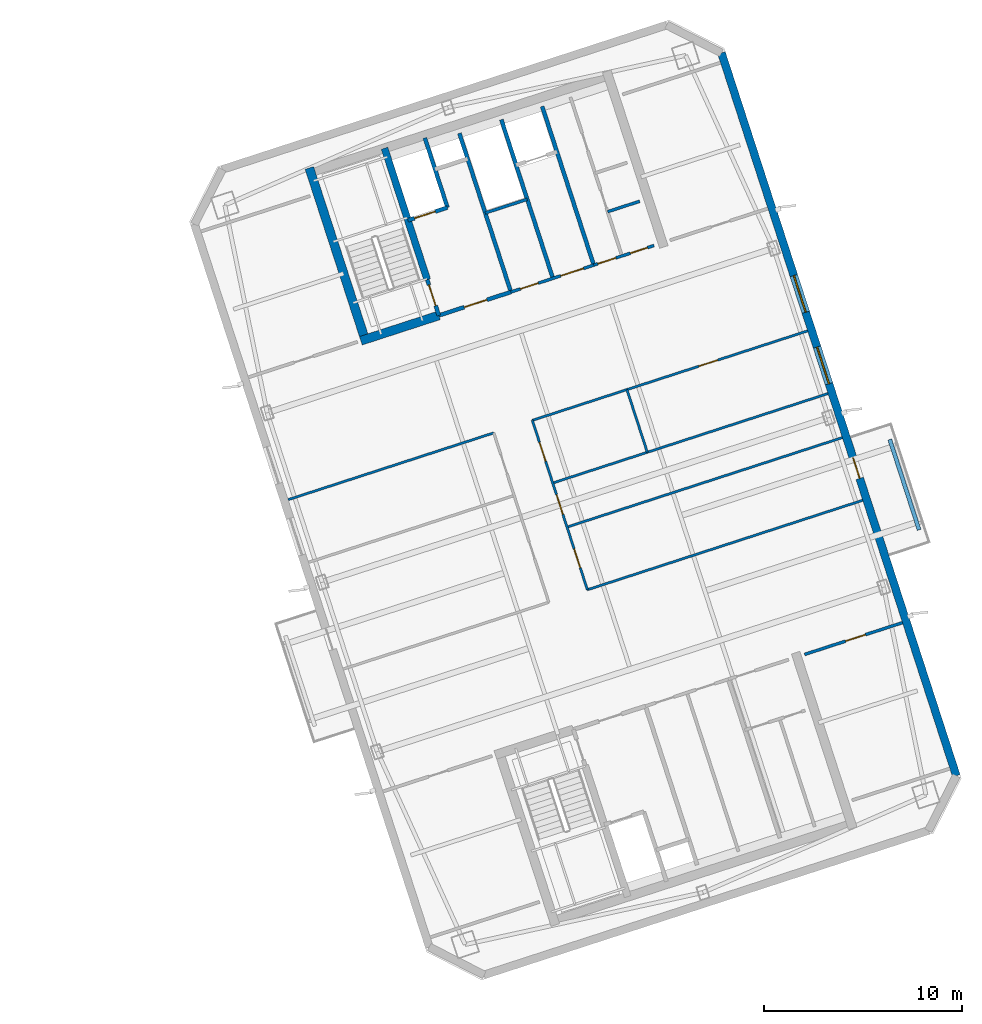
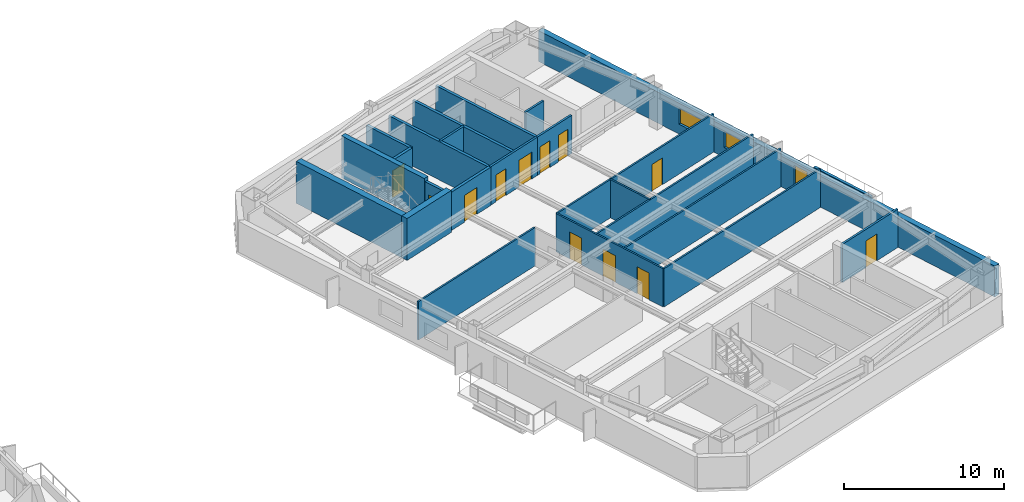
# One storey, part 10 of 18: 24 walls, 13 doors, 2 windows, 15 openings.
"""IFC4 building model written with IfcOpenShell, lengths in metres."""

from ifc_helpers import new_model, si_unit, direction, frame, frame_2d, origin, place, context, subcontext, project, spatial, rectangle, extrude, material, layer, layer_set, type_object, element, fill, save


model = new_model("IFC4")

# Units and contexts
model_context = context("Model", 3, precision=1e-05, world=origin(), true_north=direction((0.0, 1.0)))
body_context = subcontext(model_context, "Body", "Model", "MODEL_VIEW")
ifc_project = project(units=[si_unit("LENGTHUNIT", "METRE"), si_unit("AREAUNIT", "SQUARE_METRE"), si_unit("VOLUMEUNIT", "CUBIC_METRE"), si_unit("PLANEANGLEUNIT", "RADIAN"), si_unit("MASSUNIT", "GRAM", prefix="KILO")], contexts=[model_context])

# Site, building, storey
site_placement = place(None, origin())
site = spatial("IfcSite", under=ifc_project, at=site_placement, CompositionType="ELEMENT")
building_placement = place(site_placement, origin())
building = spatial("IfcBuilding", under=site, at=building_placement, Name="Qiaolan Cultural Towers", CompositionType="ELEMENT")
storey_placement = place(building_placement, frame((0.0, 0.0, 237.60009765625)))
storey = spatial("IfcBuildingStorey", under=building, at=storey_placement, Name="L64", CompositionType="ELEMENT", Elevation=237.60009765625)

# Walls
ifc_material_1 = material(Name="Concrete C50", Category="concrete")
ifc_layer_1 = layer(ifc_material_1, 0.35009765625)
ifc_layer_set_1 = layer_set([ifc_layer_1], Name="Concrete C50")
wall_type_1 = type_object("IfcWallType", Name="WL-CORE-350", PredefinedType="SHEAR", material=ifc_layer_set_1)
wall_1_placement = place(storey_placement, frame((82.513671875, 45.13134765625, 0.0), z_axis=(0.0, 0.0, 1.0), x_axis=(-0.308988790936, 0.951065679686, 0.0)))
element("IfcWall", 1, at=wall_1_placement, inside=storey, type_object=wall_type_1, Name="L64 T2-CN Stair Core Dividing Web", PredefinedType="SHEAR", context=body_context, shape_type="SweptSolid", body=[
    extrude(rectangle(XDim=6.97998046875, YDim=0.35009765625, at=frame_2d((3.489990234375, 0.0))), origin(), (0.0, 0.0, 1.0), 3.199951171875),
])
ifc_material_2 = material(Name="Concrete C50", Category="concrete")
ifc_layer_2 = layer(ifc_material_2, 0.449951171875)
ifc_layer_set_2 = layer_set([ifc_layer_2], Name="Concrete C50")
wall_type_2 = type_object("IfcWallType", Name="WL-CORE-450", PredefinedType="SHEAR", material=ifc_layer_set_2)
wall_2_placement = place(storey_placement, frame((79.4423828125, 41.899169921875, 0.0), z_axis=(0.0, 0.0, 1.0), x_axis=(-0.309035778627, 0.951050412717, 0.0)))
element("IfcWall", 2, at=wall_2_placement, inside=storey, type_object=wall_type_2, Name="L64 T2-CN West Core Shear Wall", PredefinedType="SHEAR", context=body_context, shape_type="SweptSolid", body=[
    extrude(rectangle(XDim=9.330078125, YDim=0.449951171875, at=frame_2d((4.6650390625, 0.0))), origin(), (0.0, 0.0, 1.0), 3.199951171875),
])
wall_3_placement = place(storey_placement, frame((79.15869140625, 42.04345703125, 0.0), z_axis=(0.0, 0.0, 1.0), x_axis=(0.951047485828, 0.309044785913, 0.0)))
element("IfcWall", 3, at=wall_3_placement, inside=storey, type_object=wall_type_2, Name="L64 T2-CN Stair Front Shear Wall", PredefinedType="SHEAR", context=body_context, shape_type="SweptSolid", body=[
    extrude(rectangle(XDim=4.14501953125, YDim=0.449951171875, at=frame_2d((2.072509765625, 0.0))), origin(), (0.0, 0.0, 1.0), 3.199951171875),
])

# Wall, openings, door, windows
ifc_material_3 = material(Name="Precast Concrete C50 Honed Stone Pier", Category="masonry")
ifc_layer_3 = layer(ifc_material_3, 0.39990234375)
ifc_layer_set_3 = layer_set([ifc_layer_3], Name="Precast Concrete C50 Honed Stone Pier")
wall_type_3 = type_object("IfcWallType", Name="WL-EXT-PIER-400", PredefinedType="SOLIDWALL", material=ifc_layer_set_3)
wall_4_placement = place(storey_placement, frame((97.381591796875, 56.58642578125, 0.0), z_axis=(0.0, 0.0, 1.0), x_axis=(0.309016491071, -0.951056679828, 0.0)))
wall_4 = element("IfcWall", 4, at=wall_4_placement, inside=storey, type_object=wall_type_3, Name="L64 East Tower Precast Pier Facade Wall F5", PredefinedType="SOLIDWALL", context=body_context, shape_type="SweptSolid", body=[
    extrude(rectangle(XDim=38.39990234375, YDim=0.39990234375, at=frame_2d((19.199951171875, 0.0))), origin(), (0.0, 0.0, 1.0), 2.35986328125),
])
opening_1_placement = place(wall_4_placement, frame((15.625, 0.0, 0.75)))
opening_1 = element("IfcOpeningElement", 5, at=opening_1_placement, cuts=wall_4, Name="Opening W-06", PredefinedType="OPENING", context=body_context, shape_type="SweptSolid", body=[
    extrude(rectangle(XDim=1.949951171875, YDim=1.2099609375, at=frame_2d((0.97509765625, 0.60498046875))), frame((0.0, 0.2099609375, 0.0), z_axis=(0.0, -1.0, 0.0), x_axis=(1.0, 0.0, 0.0)), (0.0, 0.0, 1.0), 0.419921875),
])
opening_2_placement = place(wall_4_placement, frame((11.824951171875, 0.0, 0.75)))
opening_2 = element("IfcOpeningElement", 6, at=opening_2_placement, cuts=wall_4, Name="Opening W-06", PredefinedType="OPENING", context=body_context, shape_type="SweptSolid", body=[
    extrude(rectangle(XDim=1.949951171875, YDim=1.2099609375, at=frame_2d((0.97509765625, 0.60498046875))), frame((0.0, 0.2099609375, 0.0), z_axis=(0.0, -1.0, 0.0), x_axis=(1.0, 0.0, 0.0)), (0.0, 0.0, 1.0), 0.419921875),
])
opening_3_placement = place(wall_4_placement, frame((21.5, 0.0, 0.0)))
opening_3 = element("IfcOpeningElement", 7, at=opening_3_placement, cuts=wall_4, Name="Opening BD-01", PredefinedType="OPENING", context=body_context, shape_type="SweptSolid", body=[
    extrude(rectangle(XDim=1.10009765625, YDim=2.14990234375, at=frame_2d((0.550048828125, 1.074951171875))), frame((0.0, 0.2099609375, 0.0), z_axis=(0.0, -1.0, 0.0), x_axis=(1.0, 0.0, 0.0)), (0.0, 0.0, 1.0), 0.419921875),
])
ifc_material_4 = material(Name="Thermally Broken Aluminium Glazed Terrace Door", Category="aluminium")
door_type_1 = type_object("IfcDoorType", Name="DR-BAL-1100", OperationType="NOTDEFINED", PredefinedType="DOOR", material=ifc_material_4)
door_1_placement = place(opening_3_placement, origin())
door_1 = element("IfcDoor", 8, at=door_1_placement, inside=storey, type_object=door_type_1, Name="L64 T2 East Tree Balcony Door", OperationType="SINGLE_SWING_RIGHT", OverallHeight=2.14990234375, OverallWidth=1.10009765625, PredefinedType="DOOR", context=body_context, shape_type="SweptSolid", body=[
    extrude(rectangle(XDim=1.10009765625, YDim=2.14990234375, at=frame_2d((0.550048828125, 1.074951171875))), frame((0.0, 0.02490234375, 0.0), z_axis=(0.0, -1.0, 0.0), x_axis=(1.0, 0.0, 0.0)), (0.0, 0.0, 1.0), 0.050048828125),
])
fill(opening_3, door_1)
ifc_material_5 = material(Name="Thermally Broken Aluminium Triple Low-E Glazing", Category="aluminium")
window_type = type_object("IfcWindowType", Name="WN-CHIC-1950", PartitioningType="SINGLE_PANEL", PredefinedType="WINDOW", material=ifc_material_5)
window_1_placement = place(opening_1_placement, origin())
window_1 = element("IfcWindow", 9, at=window_1_placement, inside=storey, type_object=window_type, Name="L64 T2 E Chicago Bay Window 1", OverallHeight=1.2099609375, OverallWidth=1.949951171875, PartitioningType="TRIPLE_PANEL_VERTICAL", PredefinedType="WINDOW", context=body_context, shape_type="SweptSolid", body=[
    extrude(rectangle(XDim=1.949951171875, YDim=1.2099609375, at=frame_2d((0.97509765625, 0.60498046875))), frame((0.0, 0.030029296875, 0.0), z_axis=(0.0, -1.0, 0.0), x_axis=(1.0, 0.0, 0.0)), (0.0, 0.0, 1.0), 0.06005859375),
])
fill(opening_1, window_1)
window_2_placement = place(opening_2_placement, origin())
window_2 = element("IfcWindow", 10, at=window_2_placement, inside=storey, type_object=window_type, Name="L64 T2 E Chicago Bay Window 2", OverallHeight=1.2099609375, OverallWidth=1.949951171875, PartitioningType="TRIPLE_PANEL_VERTICAL", PredefinedType="WINDOW", context=body_context, shape_type="SweptSolid", body=[
    extrude(rectangle(XDim=1.949951171875, YDim=1.2099609375, at=frame_2d((0.97509765625, 0.60498046875))), frame((0.0, 0.030029296875, 0.0), z_axis=(0.0, -1.0, 0.0), x_axis=(1.0, 0.0, 0.0)), (0.0, 0.0, 1.0), 0.06005859375),
])
fill(opening_2, window_2)

# Wall, opening, door
ifc_material_6 = material(Name="Concrete C35 Fire Wall", Category="concrete")
ifc_layer_4 = layer(ifc_material_6, 0.199951171875)
ifc_layer_set_4 = layer_set([ifc_layer_4], Name="Concrete C35 Fire Wall")
wall_type_4 = type_object("IfcWallType", Name="WL-FIRE-200", PredefinedType="PARTITIONING", material=ifc_layer_set_4)
wall_5_placement = place(storey_placement, frame((83.100830078125, 43.324462890625, 0.0), z_axis=(0.0, 0.0, 1.0), x_axis=(-0.309048298632, 0.951046344356, 0.0)))
wall_5 = element("IfcWall", 11, at=wall_5_placement, inside=storey, type_object=wall_type_4, Name="L64 T2-CN Smokeproof Stair Entry Wall", PredefinedType="PARTITIONING", context=body_context, shape_type="SweptSolid", body=[
    extrude(rectangle(XDim=1.89990234375, YDim=0.199951171875, at=frame_2d((0.949951171875, 0.0))), origin(), (0.0, 0.0, 1.0), 2.9248046875),
])
opening_4_placement = place(wall_5_placement, frame((0.52001953125, 0.0, 0.0)))
opening_4 = element("IfcOpeningElement", 12, at=opening_4_placement, cuts=wall_5, Name="Opening FD-04", PredefinedType="OPENING", context=body_context, shape_type="SweptSolid", body=[
    extrude(rectangle(XDim=1.10009765625, YDim=2.050048828125, at=frame_2d((0.550048828125, 1.02490234375))), frame((0.0, 0.10986328125, 0.0), z_axis=(0.0, -1.0, 0.0), x_axis=(1.0, 0.0, 0.0)), (0.0, 0.0, 1.0), 0.219970703125),
])
ifc_material_7 = material(Name="Galvanized Steel Command Fire Door", Category="steel")
door_type_2 = type_object("IfcDoorType", Name="DR-FD90-1100", OperationType="NOTDEFINED", PredefinedType="DOOR", material=ifc_material_7)
door_2_placement = place(opening_4_placement, origin())
door_2 = element("IfcDoor", 13, at=door_2_placement, inside=storey, type_object=door_type_2, Name="L64 ST-E2 Smokeproof Stair Fire Door", OperationType="SINGLE_SWING_LEFT", OverallHeight=2.050048828125, OverallWidth=1.10009765625, PredefinedType="DOOR", context=body_context, shape_type="SweptSolid", body=[
    extrude(rectangle(XDim=1.10009765625, YDim=2.050048828125, at=frame_2d((0.550048828125, 1.02490234375))), frame((0.0, 0.02490234375, 0.0), z_axis=(0.0, -1.0, 0.0), x_axis=(1.0, 0.0, 0.0)), (0.0, 0.0, 1.0), 0.050048828125),
])
fill(opening_4, door_2)

# Wall
wall_6_placement = place(storey_placement, frame((86.743408203125, 44.508056640625, 0.0), z_axis=(0.0, 0.0, 1.0), x_axis=(-0.309016001439, 0.951056838919, 0.0)))
element("IfcWall", 14, at=wall_6_placement, inside=storey, type_object=wall_type_4, Name="L64 T2-CN Firefighting Zone Wall", PredefinedType="PARTITIONING", context=body_context, shape_type="SweptSolid", body=[
    extrude(rectangle(XDim=8.429931640625, YDim=0.199951171875, at=frame_2d((4.21484375, 0.0))), origin(), (0.0, 0.0, 1.0), 2.9248046875),
])

# Wall, opening, door
wall_7_placement = place(storey_placement, frame((83.100830078125, 43.324462890625, 0.0), z_axis=(0.0, 0.0, 1.0), x_axis=(0.951052804469, 0.309028417967, 0.0)))
wall_7 = element("IfcWall", 15, at=wall_7_placement, inside=storey, type_object=wall_type_4, Name="L64 T2-CN Firefighting Lobby Front Wall", PredefinedType="PARTITIONING", context=body_context, shape_type="SweptSolid", body=[
    extrude(rectangle(XDim=3.830078125, YDim=0.199951171875, at=frame_2d((1.9150390625, 0.0))), origin(), (0.0, 0.0, 1.0), 2.9248046875),
])
opening_5_placement = place(wall_7_placement, frame((1.35009765625, 0.0, 0.0)))
opening_5 = element("IfcOpeningElement", 16, at=opening_5_placement, cuts=wall_7, Name="Opening FD-03", PredefinedType="OPENING", context=body_context, shape_type="SweptSolid", body=[
    extrude(rectangle(XDim=1.199951171875, YDim=2.050048828125, at=frame_2d((0.60009765625, 1.02490234375))), frame((0.0, 0.10986328125, 0.0), z_axis=(0.0, -1.0, 0.0), x_axis=(1.0, 0.0, 0.0)), (0.0, 0.0, 1.0), 0.219970703125),
])
ifc_material_8 = material(Name="Galvanized Steel Smokeproof Lobby Fire Door", Category="steel")
door_type_3 = type_object("IfcDoorType", Name="DR-FD90-1200", OperationType="NOTDEFINED", PredefinedType="DOOR", material=ifc_material_8)
door_3_placement = place(opening_5_placement, origin())
door_3 = element("IfcDoor", 17, at=door_3_placement, inside=storey, type_object=door_type_3, Name="L64 FFL-E2 Firefighting Lobby Fire Door", OperationType="SINGLE_SWING_LEFT", OverallHeight=2.050048828125, OverallWidth=1.199951171875, PredefinedType="DOOR", context=body_context, shape_type="SweptSolid", body=[
    extrude(rectangle(XDim=1.199951171875, YDim=2.050048828125, at=frame_2d((0.60009765625, 1.02490234375))), frame((0.0, 0.02490234375, 0.0), z_axis=(0.0, -1.0, 0.0), x_axis=(1.0, 0.0, 0.0)), (0.0, 0.0, 1.0), 0.050048828125),
])
fill(opening_5, door_3)

wall_8_placement = place(storey_placement, frame((81.540283203125, 48.127197265625, 0.0), z_axis=(0.0, 0.0, 1.0), x_axis=(0.951062257173, 0.308999325213, 0.0)))
wall_8 = element("IfcWall", 18, at=wall_8_placement, inside=storey, type_object=wall_type_4, Name="L64 T2-CN Firefighting Shaft Front Wall", PredefinedType="PARTITIONING", context=body_context, shape_type="SweptSolid", body=[
    extrude(rectangle(XDim=2.10009765625, YDim=0.199951171875, at=frame_2d((1.050048828125, 0.0))), origin(), (0.0, 0.0, 1.0), 2.9248046875),
])
opening_6_placement = place(wall_8_placement, frame((0.35009765625, 0.0, 0.0)))
opening_6 = element("IfcOpeningElement", 19, at=opening_6_placement, cuts=wall_8, Name="Opening LD-01", PredefinedType="OPENING", context=body_context, shape_type="SweptSolid", body=[
    extrude(rectangle(XDim=1.10009765625, YDim=2.050048828125, at=frame_2d((0.550048828125, 1.02490234375))), frame((0.0, 0.10986328125, 0.0), z_axis=(0.0, -1.0, 0.0), x_axis=(1.0, 0.0, 0.0)), (0.0, 0.0, 1.0), 0.219970703125),
])
ifc_material_9 = material(Name="Brushed Stainless Steel S30408 Centre-Parting Lift Landing Door", Category="steel")
door_type_4 = type_object("IfcDoorType", Name="DR-LIFT-1100", OperationType="NOTDEFINED", PredefinedType="DOOR", material=ifc_material_9)
door_4_placement = place(opening_6_placement, origin())
door_4 = element("IfcDoor", 20, at=door_4_placement, inside=storey, type_object=door_type_4, Name="L64 FFL-E2 Firefighting Lift Landing Door", OperationType="DOUBLE_DOOR_SLIDING", OverallHeight=2.050048828125, OverallWidth=1.10009765625, PredefinedType="DOOR", context=body_context, shape_type="SweptSolid", body=[
    extrude(rectangle(XDim=1.10009765625, YDim=2.050048828125, at=frame_2d((0.550048828125, 1.02490234375))), frame((0.0, 0.02490234375, 0.0), z_axis=(0.0, -1.0, 0.0), x_axis=(1.0, 0.0, 0.0)), (0.0, 0.0, 1.0), 0.050048828125),
])
fill(opening_6, door_4)

# Walls
wall_9_placement = place(storey_placement, frame((83.53759765625, 48.776123046875, 0.0), z_axis=(0.0, 0.0, 1.0), x_axis=(-0.3089935693, 0.951064127245, 0.0)))
element("IfcWall", 21, at=wall_9_placement, inside=storey, type_object=wall_type_4, Name="L64 T2-CN Firefighting Hoistway East Wall", PredefinedType="PARTITIONING", context=body_context, shape_type="SweptSolid", body=[
    extrude(rectangle(XDim=3.7001953125, YDim=0.199951171875, at=frame_2d((1.85009765625, 0.0))), origin(), (0.0, 0.0, 1.0), 2.9248046875),
])
wall_10_placement = place(storey_placement, frame((90.92822265625, 45.86767578125, 0.0), z_axis=(0.0, 0.0, 1.0), x_axis=(-0.309042196757, 0.951048327176, 0.0)))
element("IfcWall", 22, at=wall_10_placement, inside=storey, type_object=wall_type_4, Name="L64 T2-CN Lift Core East Wall", PredefinedType="PARTITIONING", context=body_context, shape_type="SweptSolid", body=[
    extrude(rectangle(XDim=8.429931640625, YDim=0.199951171875, at=frame_2d((4.21484375, 0.0))), origin(), (0.0, 0.0, 1.0), 2.9248046875),
])
wall_11_placement = place(storey_placement, frame((88.8642578125, 45.197021484375, 0.0), z_axis=(0.0, 0.0, 1.0), x_axis=(-0.309007490203, 0.951059604335, 0.0)))
element("IfcWall", 23, at=wall_11_placement, inside=storey, type_object=wall_type_4, Name="L64 T2-CN Sky Shuttle Lift Zone Wall", PredefinedType="PARTITIONING", context=body_context, shape_type="SweptSolid", body=[
    extrude(rectangle(XDim=8.43017578125, YDim=0.199951171875, at=frame_2d((4.215087890625, 0.0))), origin(), (0.0, 0.0, 1.0), 2.9248046875),
])
ifc_material_10 = material(Name="Gypsum Stud Acoustic Partition", Category="gypsum")
ifc_layer_5 = layer(ifc_material_10, 0.1201171875)
ifc_layer_set_5 = layer_set([ifc_layer_5], Name="Gypsum Stud Acoustic Partition")
wall_type_5 = type_object("IfcWallType", Name="WL-PART-120", PredefinedType="PARTITIONING", material=ifc_layer_set_5)
wall_12_placement = place(storey_placement, frame((90.60595703125, 29.46533203125, 0.0), z_axis=(0.0, 0.0, 1.0), x_axis=(0.951058110432, 0.309012088082, 0.0)))
element("IfcWall", 24, at=wall_12_placement, inside=storey, type_object=wall_type_5, Name="L64 T2 South Foyer East Wall", PredefinedType="PARTITIONING", context=body_context, shape_type="SweptSolid", body=[
    extrude(rectangle(XDim=14.625, YDim=0.1201171875, at=frame_2d((7.3125, 0.0))), origin(), (0.0, 0.0, 1.0), 2.9248046875),
])
wall_13_placement = place(storey_placement, frame((75.48486328125, 34.015380859375, 0.0), z_axis=(0.0, 0.0, 1.0), x_axis=(0.951058206457, 0.309011792544, 0.0)))
element("IfcWall", 25, at=wall_13_placement, inside=storey, type_object=wall_type_5, Name="L64 T2 North Foyer West Wall", PredefinedType="PARTITIONING", context=body_context, shape_type="SweptSolid", body=[
    extrude(rectangle(XDim=10.925048828125, YDim=0.1201171875, at=frame_2d((5.46240234375, 0.0))), origin(), (0.0, 0.0, 1.0), 2.9248046875),
])

# Wall, opening, door
wall_14_placement = place(storey_placement, frame((87.82470703125, 38.02490234375, 0.0), z_axis=(0.0, 0.0, 1.0), x_axis=(0.951058110432, 0.309012088082, 0.0)))
wall_14 = element("IfcWall", 26, at=wall_14_placement, inside=storey, type_object=wall_type_5, Name="L64 T2 North Foyer East Wall", PredefinedType="PARTITIONING", context=body_context, shape_type="SweptSolid", body=[
    extrude(rectangle(XDim=14.625, YDim=0.1201171875, at=frame_2d((7.3125, 0.0))), origin(), (0.0, 0.0, 1.0), 2.9248046875),
])
opening_7_placement = place(wall_14_placement, frame((8.844970703125, 0.0, 0.0)))
opening_7 = element("IfcOpeningElement", 27, at=opening_7_placement, cuts=wall_14, Name="Opening ID-04", PredefinedType="OPENING", context=body_context, shape_type="SweptSolid", body=[
    extrude(rectangle(XDim=1.0, YDim=2.050048828125, at=frame_2d((0.5, 1.02490234375))), frame((0.0, 0.070068359375, 0.0), z_axis=(0.0, -1.0, 0.0), x_axis=(1.0, 0.0, 0.0)), (0.0, 0.0, 1.0), 0.14013671875),
])
ifc_material_11 = material(Name="Oak Veneer Acoustic Office Door", Category="timber")
door_type_5 = type_object("IfcDoorType", Name="DR-INT-1000", OperationType="NOTDEFINED", PredefinedType="DOOR", material=ifc_material_11)
door_5_placement = place(opening_7_placement, origin())
door_5 = element("IfcDoor", 28, at=door_5_placement, inside=storey, type_object=door_type_5, Name="L64 T2 Gallery Salon Door", OperationType="SINGLE_SWING_RIGHT", OverallHeight=2.050048828125, OverallWidth=1.0, PredefinedType="DOOR", context=body_context, shape_type="SweptSolid", body=[
    extrude(rectangle(XDim=1.0, YDim=2.050048828125, at=frame_2d((0.5, 1.02490234375))), frame((0.0, 0.02490234375, 0.0), z_axis=(0.0, -1.0, 0.0), x_axis=(1.0, 0.0, 0.0)), (0.0, 0.0, 1.0), 0.050048828125),
])
fill(opening_7, door_5)

# Wall, openings, doors
wall_15_placement = place(storey_placement, frame((90.60595703125, 29.46533203125, 0.0), z_axis=(0.0, 0.0, 1.0), x_axis=(-0.309024734286, 0.951054001411, 0.0)))
wall_15 = element("IfcWall", 29, at=wall_15_placement, inside=storey, type_object=wall_type_5, Name="L64 T2 Central Spine East Wall", PredefinedType="PARTITIONING", context=body_context, shape_type="SweptSolid", body=[
    extrude(rectangle(XDim=9.0, YDim=0.1201171875, at=frame_2d((4.5, 0.0))), origin(), (0.0, 0.0, 1.0), 2.9248046875),
])
opening_8_placement = place(wall_15_placement, frame((1.1650390625, 0.0, 0.0)))
opening_8 = element("IfcOpeningElement", 30, at=opening_8_placement, cuts=wall_15, Name="Opening ID-04", PredefinedType="OPENING", context=body_context, shape_type="SweptSolid", body=[
    extrude(rectangle(XDim=1.0, YDim=2.050048828125, at=frame_2d((0.5, 1.02490234375))), frame((0.0, 0.070068359375, 0.0), z_axis=(0.0, -1.0, 0.0), x_axis=(1.0, 0.0, 0.0)), (0.0, 0.0, 1.0), 0.14013671875),
])
opening_9_placement = place(wall_15_placement, frame((4.0, 0.0, 0.0)))
opening_9 = element("IfcOpeningElement", 31, at=opening_9_placement, cuts=wall_15, Name="Opening ID-07", PredefinedType="OPENING", context=body_context, shape_type="SweptSolid", body=[
    extrude(rectangle(XDim=1.050048828125, YDim=2.050048828125, at=frame_2d((0.52490234375, 1.02490234375))), frame((0.0, 0.070068359375, 0.0), z_axis=(0.0, -1.0, 0.0), x_axis=(1.0, 0.0, 0.0)), (0.0, 0.0, 1.0), 0.14013671875),
])
opening_10_placement = place(wall_15_placement, frame((6.8349609375, 0.0, 0.0)))
opening_10 = element("IfcOpeningElement", 32, at=opening_10_placement, cuts=wall_15, Name="Opening ID-04", PredefinedType="OPENING", context=body_context, shape_type="SweptSolid", body=[
    extrude(rectangle(XDim=1.0, YDim=2.050048828125, at=frame_2d((0.5, 1.02490234375))), frame((0.0, 0.070068359375, 0.0), z_axis=(0.0, -1.0, 0.0), x_axis=(1.0, 0.0, 0.0)), (0.0, 0.0, 1.0), 0.14013671875),
])
door_6_placement = place(opening_8_placement, origin())
door_6 = element("IfcDoor", 33, at=door_6_placement, inside=storey, type_object=door_type_5, Name="L64 T2 Wellness Advisory Room Door", OperationType="SINGLE_SWING_RIGHT", OverallHeight=2.050048828125, OverallWidth=1.0, PredefinedType="DOOR", context=body_context, shape_type="SweptSolid", body=[
    extrude(rectangle(XDim=1.0, YDim=2.050048828125, at=frame_2d((0.5, 1.02490234375))), frame((0.0, 0.02490234375, 0.0), z_axis=(0.0, -1.0, 0.0), x_axis=(1.0, 0.0, 0.0)), (0.0, 0.0, 1.0), 0.050048828125),
])
fill(opening_8, door_6)
door_7_placement = place(opening_10_placement, origin())
door_7 = element("IfcDoor", 34, at=door_7_placement, inside=storey, type_object=door_type_5, Name="L64 T2 Private Kitchen Door", OperationType="SINGLE_SWING_LEFT", OverallHeight=2.050048828125, OverallWidth=1.0, PredefinedType="DOOR", context=body_context, shape_type="SweptSolid", body=[
    extrude(rectangle(XDim=1.0, YDim=2.050048828125, at=frame_2d((0.5, 1.02490234375))), frame((0.0, 0.02490234375, 0.0), z_axis=(0.0, -1.0, 0.0), x_axis=(1.0, 0.0, 0.0)), (0.0, 0.0, 1.0), 0.050048828125),
])
fill(opening_10, door_7)
ifc_material_12 = material(Name="Oak Veneer Consultation Door", Category="timber")
door_type_6 = type_object("IfcDoorType", Name="DR-INT-1050", OperationType="NOTDEFINED", PredefinedType="DOOR", material=ifc_material_12)
door_8_placement = place(opening_9_placement, origin())
door_8 = element("IfcDoor", 35, at=door_8_placement, inside=storey, type_object=door_type_6, Name="L64 T2 Art Edition Shop Door", OperationType="SINGLE_SWING_LEFT", OverallHeight=2.050048828125, OverallWidth=1.050048828125, PredefinedType="DOOR", context=body_context, shape_type="SweptSolid", body=[
    extrude(rectangle(XDim=1.050048828125, YDim=2.050048828125, at=frame_2d((0.52490234375, 1.02490234375))), frame((0.0, 0.02490234375, 0.0), z_axis=(0.0, -1.0, 0.0), x_axis=(1.0, 0.0, 0.0)), (0.0, 0.0, 1.0), 0.050048828125),
])
fill(opening_9, door_8)

# Walls
for number, where, z_axis, x_axis, name in (
    (36, (89.576904296875, 32.63232421875, 0.0), (0.0, 0.0, 1.0), (0.951058110432, 0.309012088082, 0.0), "L64 T2 Interior Wall"),
    (37, (88.853759765625, 34.85791015625, 0.0), (0.0, 0.0, 1.0), (0.951058110432, 0.309012088082, 0.0), "L64 T2 Interior Wall"),
):
    element("IfcWall", number, at=place(storey_placement, frame(where, z_axis=z_axis, x_axis=x_axis)), inside=storey, type_object=wall_type_5, Name=name, PredefinedType="PARTITIONING", context=body_context, shape_type="SweptSolid", body=[
        extrude(rectangle(XDim=14.625, YDim=0.1201171875, at=frame_2d((7.3125, 0.0))), origin(), (0.0, 0.0, 1.0), 2.9248046875),
    ])
wall_16_placement = place(storey_placement, frame((93.6328125, 36.41064453125, 0.0), z_axis=(0.0, 0.0, 1.0), x_axis=(-0.309026391202, 0.95105346303, 0.0)))
element("IfcWall", 38, at=wall_16_placement, inside=storey, type_object=wall_type_5, Name="L64 T2 Interior Wall", PredefinedType="PARTITIONING", context=body_context, shape_type="SweptSolid", body=[
    extrude(rectangle(XDim=3.330078125, YDim=0.1201171875, at=frame_2d((1.6650390625, 0.0))), origin(), (0.0, 0.0, 1.0), 2.9248046875),
])

# Wall, openings, doors
ifc_material_13 = material(Name="Autoclaved Aerated Concrete Block B06", Category="concrete")
ifc_layer_6 = layer(ifc_material_13, 0.14990234375)
ifc_layer_set_6 = layer_set([ifc_layer_6], Name="Autoclaved Aerated Concrete Block B06")
wall_type_6 = type_object("IfcWallType", Name="WL-PART-150", PredefinedType="PARTITIONING", material=ifc_layer_set_6)
wall_17_placement = place(storey_placement, frame((86.743408203125, 44.508056640625, 0.0), z_axis=(0.0, 0.0, 1.0), x_axis=(0.951063829732, 0.308994485023, 0.0)))
wall_17 = element("IfcWall", 39, at=wall_17_placement, inside=storey, type_object=wall_type_6, Name="L64 T2-CN High-Zone Lift Lobby Wall", PredefinedType="PARTITIONING", context=body_context, shape_type="SweptSolid", body=[
    extrude(rectangle(XDim=4.400146484375, YDim=0.14990234375, at=frame_2d((2.2001953125, 0.0))), origin(), (0.0, 0.0, 1.0), 2.9248046875),
])
opening_11_placement = place(wall_17_placement, frame((0.5, 0.0, 0.0)))
opening_11 = element("IfcOpeningElement", 40, at=opening_11_placement, cuts=wall_17, Name="Opening ID-05", PredefinedType="OPENING", context=body_context, shape_type="SweptSolid", body=[
    extrude(rectangle(XDim=0.949951171875, YDim=2.050048828125, at=frame_2d((0.47509765625, 1.02490234375))), frame((0.0, 0.0849609375, 0.0), z_axis=(0.0, -1.0, 0.0), x_axis=(1.0, 0.0, 0.0)), (0.0, 0.0, 1.0), 0.169921875),
])
opening_12_placement = place(wall_17_placement, frame((2.64990234375, 0.0, 0.0)))
opening_12 = element("IfcOpeningElement", 41, at=opening_12_placement, cuts=wall_17, Name="Opening FD-06", PredefinedType="OPENING", context=body_context, shape_type="SweptSolid", body=[
    extrude(rectangle(XDim=1.199951171875, YDim=2.050048828125, at=frame_2d((0.60009765625, 1.02490234375))), frame((0.0, 0.0849609375, 0.0), z_axis=(0.0, -1.0, 0.0), x_axis=(1.0, 0.0, 0.0)), (0.0, 0.0, 1.0), 0.169921875),
])
ifc_material_14 = material(Name="Painted Steel Plant Fire Door", Category="steel")
door_type_7 = type_object("IfcDoorType", Name="DR-FD60-1200", OperationType="NOTDEFINED", PredefinedType="DOOR", material=ifc_material_14)
door_9_placement = place(opening_12_placement, origin())
door_9 = element("IfcDoor", 42, at=door_9_placement, inside=storey, type_object=door_type_7, Name="L64 Sky Shuttle Lift Lobby Door", OperationType="SINGLE_SWING_RIGHT", OverallHeight=2.050048828125, OverallWidth=1.199951171875, PredefinedType="DOOR", context=body_context, shape_type="SweptSolid", body=[
    extrude(rectangle(XDim=1.199951171875, YDim=2.050048828125, at=frame_2d((0.60009765625, 1.02490234375))), frame((0.0, 0.02490234375, 0.0), z_axis=(0.0, -1.0, 0.0), x_axis=(1.0, 0.0, 0.0)), (0.0, 0.0, 1.0), 0.050048828125),
])
fill(opening_12, door_9)
ifc_material_15 = material(Name="Fire-Rated Laminate Accessible Core Door", Category="timber")
door_type_8 = type_object("IfcDoorType", Name="DR-INT-950", OperationType="NOTDEFINED", PredefinedType="DOOR", material=ifc_material_15)
door_10_placement = place(opening_11_placement, origin())
door_10 = element("IfcDoor", 43, at=door_10_placement, inside=storey, type_object=door_type_8, Name="L64 Reclaimed Server Room Door", OperationType="SINGLE_SWING_LEFT", OverallHeight=2.050048828125, OverallWidth=0.949951171875, PredefinedType="DOOR", context=body_context, shape_type="SweptSolid", body=[
    extrude(rectangle(XDim=0.949951171875, YDim=2.050048828125, at=frame_2d((0.47509765625, 1.02490234375))), frame((0.0, 0.02490234375, 0.0), z_axis=(0.0, -1.0, 0.0), x_axis=(1.0, 0.0, 0.0)), (0.0, 0.0, 1.0), 0.050048828125),
])
fill(opening_11, door_10)

# Wall
wall_18_placement = place(storey_placement, frame((85.445556640625, 48.50244140625, 0.0), z_axis=(0.0, 0.0, 1.0), x_axis=(0.951075093106, 0.308959814982, 0.0)))
element("IfcWall", 44, at=wall_18_placement, inside=storey, type_object=wall_type_6, Name="L64 T2-CN High-Zone Reclaimed Split", PredefinedType="PARTITIONING", context=body_context, shape_type="SweptSolid", body=[
    extrude(rectangle(XDim=2.22998046875, YDim=0.14990234375, at=frame_2d((1.114990234375, 0.0))), origin(), (0.0, 0.0, 1.0), 2.9248046875),
])

# Wall, openings, doors
wall_19_placement = place(storey_placement, frame((90.92822265625, 45.86767578125, 0.0), z_axis=(0.0, 0.0, 1.0), x_axis=(0.951059297078, 0.309008435874, 0.0)))
wall_19 = element("IfcWall", 45, at=wall_19_placement, inside=storey, type_object=wall_type_6, Name="L64 T2-CN Sanitary Core Front Wall", PredefinedType="PARTITIONING", context=body_context, shape_type="SweptSolid", body=[
    extrude(rectangle(XDim=3.19970703125, YDim=0.14990234375, at=frame_2d((1.599853515625, 0.0))), origin(), (0.0, 0.0, 1.0), 2.9248046875),
])
opening_13_placement = place(wall_19_placement, frame((0.219970703125, 0.0, 0.0)))
opening_13 = element("IfcOpeningElement", 46, at=opening_13_placement, cuts=wall_19, Name="Opening ID-05", PredefinedType="OPENING", context=body_context, shape_type="SweptSolid", body=[
    extrude(rectangle(XDim=0.949951171875, YDim=2.050048828125, at=frame_2d((0.47509765625, 1.02490234375))), frame((0.0, 0.0849609375, 0.0), z_axis=(0.0, -1.0, 0.0), x_axis=(1.0, 0.0, 0.0)), (0.0, 0.0, 1.0), 0.169921875),
])
opening_14_placement = place(wall_19_placement, frame((1.949951171875, 0.0, 0.0)))
opening_14 = element("IfcOpeningElement", 47, at=opening_14_placement, cuts=wall_19, Name="Opening ID-06", PredefinedType="OPENING", context=body_context, shape_type="SweptSolid", body=[
    extrude(rectangle(XDim=0.89990234375, YDim=2.050048828125, at=frame_2d((0.449951171875, 1.02490234375))), frame((0.0, 0.0849609375, 0.0), z_axis=(0.0, -1.0, 0.0), x_axis=(1.0, 0.0, 0.0)), (0.0, 0.0, 1.0), 0.169921875),
])
ifc_material_16 = material(Name="Fire-Rated Laminate Core Service Door", Category="timber")
door_type_9 = type_object("IfcDoorType", Name="DR-INT-900", OperationType="NOTDEFINED", PredefinedType="DOOR", material=ifc_material_16)
door_11_placement = place(opening_14_placement, origin())
door_11 = element("IfcDoor", 48, at=door_11_placement, inside=storey, type_object=door_type_9, Name="L64 Core Tea Pantry Door", OperationType="SINGLE_SWING_RIGHT", OverallHeight=2.050048828125, OverallWidth=0.89990234375, PredefinedType="DOOR", context=body_context, shape_type="SweptSolid", body=[
    extrude(rectangle(XDim=0.89990234375, YDim=2.050048828125, at=frame_2d((0.449951171875, 1.02490234375))), frame((0.0, 0.02490234375, 0.0), z_axis=(0.0, -1.0, 0.0), x_axis=(1.0, 0.0, 0.0)), (0.0, 0.0, 1.0), 0.050048828125),
])
fill(opening_14, door_11)
door_12_placement = place(opening_13_placement, origin())
door_12 = element("IfcDoor", 49, at=door_12_placement, inside=storey, type_object=door_type_8, Name="L64 Sanitary Passage Door", OperationType="SINGLE_SWING_LEFT", OverallHeight=2.050048828125, OverallWidth=0.949951171875, PredefinedType="DOOR", context=body_context, shape_type="SweptSolid", body=[
    extrude(rectangle(XDim=0.949951171875, YDim=2.050048828125, at=frame_2d((0.47509765625, 1.02490234375))), frame((0.0, 0.02490234375, 0.0), z_axis=(0.0, -1.0, 0.0), x_axis=(1.0, 0.0, 0.0)), (0.0, 0.0, 1.0), 0.050048828125),
])
fill(opening_13, door_12)

# Wall
wall_20_placement = place(storey_placement, frame((91.62841796875, 48.566162109375, 0.0), z_axis=(0.0, 0.0, 1.0), x_axis=(0.951054116971, 0.309024378638, 0.0)))
element("IfcWall", 50, at=wall_20_placement, inside=storey, type_object=wall_type_6, Name="L64 T2-CN Core Pantry Wall", PredefinedType="PARTITIONING", context=body_context, shape_type="SweptSolid", body=[
    extrude(rectangle(XDim=1.7001953125, YDim=0.14990234375, at=frame_2d((0.85009765625, 0.0))), origin(), (0.0, 0.0, 1.0), 2.9248046875),
])

# Wall, opening, door
wall_21_placement = place(storey_placement, frame((101.578369140625, 26.196044921875, 0.0), z_axis=(0.0, 0.0, 1.0), x_axis=(0.951064427824, 0.308992644131, 0.0)))
wall_21 = element("IfcWall", 51, at=wall_21_placement, inside=storey, type_object=wall_type_6, Name="L64 T2 Flank Front FLK-SE", PredefinedType="PARTITIONING", context=body_context, shape_type="SweptSolid", body=[
    extrude(rectangle(XDim=5.19970703125, YDim=0.14990234375, at=frame_2d((2.599853515625, 0.0))), origin(), (0.0, 0.0, 1.0), 2.9248046875),
])
opening_15_placement = place(wall_21_placement, frame((2.18408203125, 0.0, 0.0)))
opening_15 = element("IfcOpeningElement", 52, at=opening_15_placement, cuts=wall_21, Name="Opening ID-07", PredefinedType="OPENING", context=body_context, shape_type="SweptSolid", body=[
    extrude(rectangle(XDim=1.050048828125, YDim=2.050048828125, at=frame_2d((0.52490234375, 1.02490234375))), frame((0.0, 0.0849609375, 0.0), z_axis=(0.0, -1.0, 0.0), x_axis=(1.0, 0.0, 0.0)), (0.0, 0.0, 1.0), 0.169921875),
])
door_13_placement = place(opening_15_placement, origin())
door_13 = element("IfcDoor", 53, at=door_13_placement, inside=storey, type_object=door_type_6, Name="L64 T2 Corner Studio Door", OperationType="SINGLE_SWING_LEFT", OverallHeight=2.050048828125, OverallWidth=1.050048828125, PredefinedType="DOOR", context=body_context, shape_type="SweptSolid", body=[
    extrude(rectangle(XDim=1.050048828125, YDim=2.050048828125, at=frame_2d((0.52490234375, 1.02490234375))), frame((0.0, 0.02490234375, 0.0), z_axis=(0.0, -1.0, 0.0), x_axis=(1.0, 0.0, 0.0)), (0.0, 0.0, 1.0), 0.050048828125),
])
fill(opening_15, door_13)

# Wall
ifc_material_17 = material(Name="Precast Concrete C45 Tree Planter Upstand", Category="concrete")
ifc_layer_7 = layer(ifc_material_17, 0.199951171875)
ifc_layer_set_7 = layer_set([ifc_layer_7], Name="Precast Concrete C45 Tree Planter Upstand")
wall_type_7 = type_object("IfcWallType", Name="WL-PLANTER-200", PredefinedType="PARAPET", material=ifc_layer_set_7)
wall_22_placement = place(storey_placement, frame((107.36572265625, 32.492431640625, 0.0), z_axis=(0.0, 0.0, 1.0), x_axis=(-0.308986014439, 0.951066581729, 0.0)))
element("IfcWall", 54, at=wall_22_placement, inside=storey, type_object=wall_type_7, Name="L64 T2 Tree Balcony Soil Planter Box E", PredefinedType="PARAPET", context=body_context, shape_type="SweptSolid", body=[
    extrude(rectangle(XDim=4.800048828125, YDim=0.199951171875, at=frame_2d((2.39990234375, 0.0))), origin(), (0.0, 0.0, 1.0), 0.75),
])

save(model, "model.ifc")
